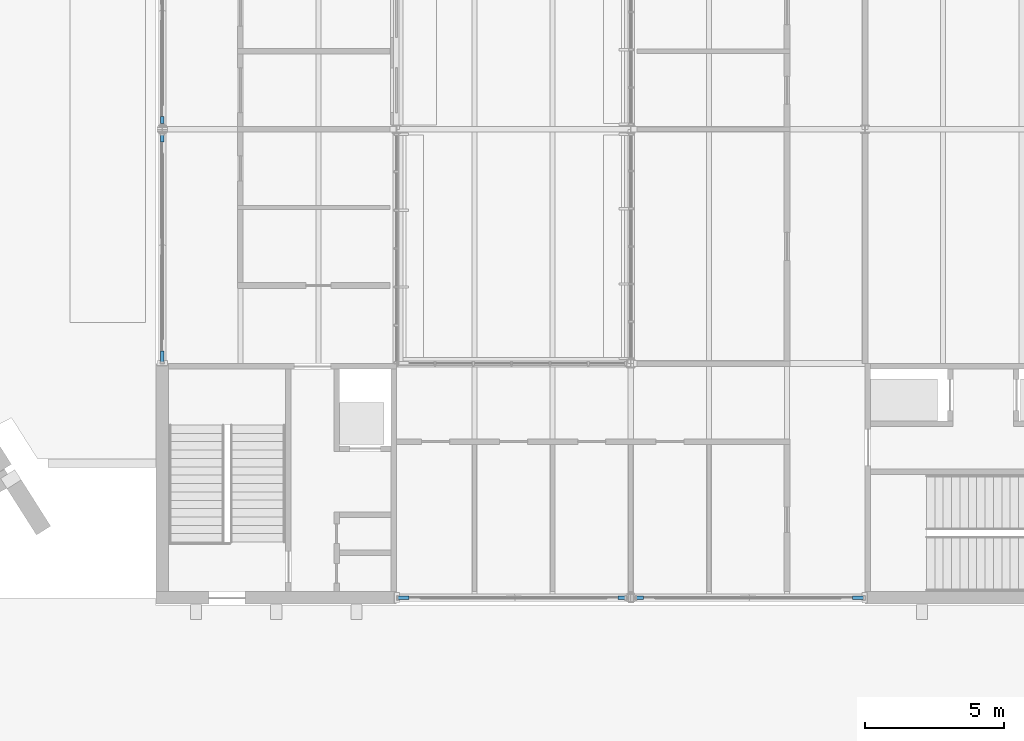
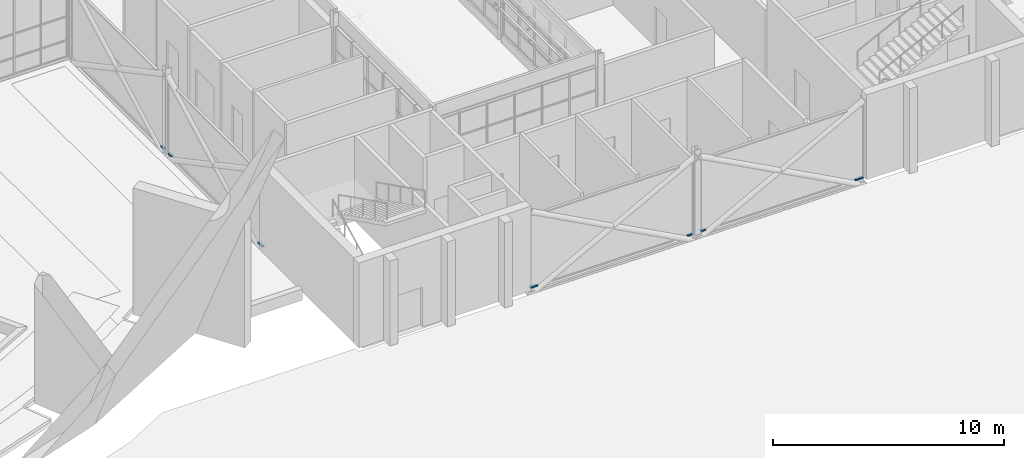
# One storey, part 68 of 116: 7 members, 4 elements without a shape of their own.
"""IFC4 building model written with IfcOpenShell, lengths in metres."""

from ifc_helpers import new_model, si_unit, direction, frame, origin, origin_2d, place, context, subcontext, project, spatial, rectangle, extrude, material, layer, layer_set, material_profile, profile_set, type_object, element, aggregate, save


model = new_model("IFC4")

# Units and contexts
model_context = context("Model", 3, precision=1e-05, world=origin(), true_north=direction((0.0, 1.0)))
body_context = subcontext(model_context, "Body", "Model", "MODEL_VIEW")
ifc_project = project(units=[si_unit("LENGTHUNIT", "METRE"), si_unit("AREAUNIT", "SQUARE_METRE"), si_unit("VOLUMEUNIT", "CUBIC_METRE"), si_unit("PLANEANGLEUNIT", "RADIAN"), si_unit("MASSUNIT", "GRAM", prefix="KILO")], contexts=[model_context])

# Site, building, storey
site_placement = place(None, origin())
site = spatial("IfcSite", under=ifc_project, at=site_placement, CompositionType="ELEMENT")
building_placement = place(site_placement, origin())
building = spatial("IfcBuilding", under=site, at=building_placement, Name="Ardhachandra Cancer Care Centre", CompositionType="ELEMENT")
storey_placement = place(building_placement, origin())
storey = spatial("IfcBuildingStorey", under=building, at=storey_placement, Name="L00", CompositionType="ELEMENT", Elevation=0.0)

# Curtain wall, members
ifc_material_1 = material(Name="Aluminium extrusion", Category="aluminium")
ifc_layer = layer(ifc_material_1, 0.14990234375)
ifc_layer_set = layer_set([ifc_layer], Name="Aluminium extrusion")
curtain_wall_type = type_object("IfcCurtainWallType", Name="Curtain wall run", PredefinedType="NOTDEFINED", material=ifc_layer_set)
curtain_wall_1_placement = place(storey_placement, origin())
curtain_wall_1 = element("IfcCurtainWall", 1, at=curtain_wall_1_placement, inside=storey, type_object=curtain_wall_type, Name="Curtain wall L00 s/0120000_0029400", PredefinedType="NOTDEFINED")
ifc_material_2 = material(Name="Aluminium extrusion", Category="aluminium")
ifc_material_profile = material_profile(ifc_material_2, rectangle(XDim=0.1201171875, YDim=0.06005859375, at=origin_2d()), Name="Curtain wall transom 60 x 120")
ifc_profile_set = profile_set([ifc_material_profile], Name="Aluminium extrusion")
member_type = type_object("IfcMemberType", Name="Curtain wall transom 60 x 120", PredefinedType="USERDEFINED", material=ifc_profile_set)
member_1_placement = place(storey_placement, frame((120.06005859375, 29.39990234375, 0.030029296875), z_axis=(1.0, 0.0, 0.0), x_axis=(0.0, 1.0, 0.0)))
member_1 = element("IfcMember", 2, at=member_1_placement, type_object=member_type, Name="CW transom 1.1", ObjectType="TRANSOM", PredefinedType="USERDEFINED", context=body_context, shape_type="SweptSolid", body=[
    extrude(rectangle(XDim=0.1201171875, YDim=0.06005859375, at=origin_2d()), origin(), (0.0, 0.0, 1.0), 0.39453125),
])
member_2_placement = place(storey_placement, frame((127.944580078125, 29.39990234375, 0.030029296875), z_axis=(1.0, 0.0, 0.0), x_axis=(0.0, 1.0, 0.0)))
member_2 = element("IfcMember", 3, at=member_2_placement, type_object=member_type, Name="CW transom 1.1", ObjectType="TRANSOM", PredefinedType="USERDEFINED", context=body_context, shape_type="SweptSolid", body=[
    extrude(rectangle(XDim=0.1201171875, YDim=0.06005859375, at=origin_2d()), origin(), (0.0, 0.0, 1.0), 0.245361328125),
])
aggregate(curtain_wall_1, [member_1, member_2])

curtain_wall_2_placement = place(storey_placement, origin())
curtain_wall_2 = element("IfcCurtainWall", 4, at=curtain_wall_2_placement, inside=storey, type_object=curtain_wall_type, Name="Curtain wall L00 s/0128400_0029400", PredefinedType="NOTDEFINED")
member_3_placement = place(storey_placement, frame((128.610107421875, 29.39990234375, 0.030029296875), z_axis=(1.0, 0.0, 0.0), x_axis=(0.0, 1.0, 0.0)))
member_3 = element("IfcMember", 5, at=member_3_placement, type_object=member_type, Name="CW transom 1.1", ObjectType="TRANSOM", PredefinedType="USERDEFINED", context=body_context, shape_type="SweptSolid", body=[
    extrude(rectangle(XDim=0.1201171875, YDim=0.06005859375, at=origin_2d()), origin(), (0.0, 0.0, 1.0), 0.245361328125),
])
member_4_placement = place(storey_placement, frame((136.344482421875, 29.39990234375, 0.030029296875), z_axis=(1.0, 0.0, 0.0), x_axis=(0.0, 1.0, 0.0)))
member_4 = element("IfcMember", 6, at=member_4_placement, type_object=member_type, Name="CW transom 1.1", ObjectType="TRANSOM", PredefinedType="USERDEFINED", context=body_context, shape_type="SweptSolid", body=[
    extrude(rectangle(XDim=0.1201171875, YDim=0.06005859375, at=origin_2d()), origin(), (0.0, 0.0, 1.0), 0.3955078125),
])
aggregate(curtain_wall_2, [member_3, member_4])

curtain_wall_3_placement = place(storey_placement, origin())
curtain_wall_3 = element("IfcCurtainWall", 7, at=curtain_wall_3_placement, inside=storey, type_object=curtain_wall_type, Name="Curtain wall L00 w/0111600_0037800", PredefinedType="NOTDEFINED")
member_5_placement = place(storey_placement, frame((111.60009765625, 37.860107421875, 0.030029296875), z_axis=(0.0, 1.0, 0.0), x_axis=(-1.0, 0.0, 0.0)))
member_5 = element("IfcMember", 8, at=member_5_placement, type_object=member_type, Name="CW transom 1.1", ObjectType="TRANSOM", PredefinedType="USERDEFINED", context=body_context, shape_type="SweptSolid", body=[
    extrude(rectangle(XDim=0.1201171875, YDim=0.06005859375, at=origin_2d()), origin(), (0.0, 0.0, 1.0), 0.394287109375),
])
member_6_placement = place(storey_placement, frame((111.60009765625, 45.74462890625, 0.030029296875), z_axis=(0.0, 1.0, 0.0), x_axis=(-1.0, 0.0, 0.0)))
member_6 = element("IfcMember", 9, at=member_6_placement, type_object=member_type, Name="CW transom 1.1", ObjectType="TRANSOM", PredefinedType="USERDEFINED", context=body_context, shape_type="SweptSolid", body=[
    extrude(rectangle(XDim=0.1201171875, YDim=0.06005859375, at=origin_2d()), origin(), (0.0, 0.0, 1.0), 0.25048828125),
])
aggregate(curtain_wall_3, [member_5, member_6])

# Curtain wall, member
curtain_wall_4_placement = place(storey_placement, origin())
curtain_wall_4 = element("IfcCurtainWall", 10, at=curtain_wall_4_placement, inside=storey, type_object=curtain_wall_type, Name="Curtain wall L00 w/0111600_0046200", PredefinedType="NOTDEFINED")
member_7_placement = place(storey_placement, frame((111.60009765625, 46.405029296875, 0.030029296875), z_axis=(0.0, 1.0, 0.0), x_axis=(-1.0, 0.0, 0.0)))
member_7 = element("IfcMember", 11, at=member_7_placement, type_object=member_type, Name="CW transom 1.1", ObjectType="TRANSOM", PredefinedType="USERDEFINED", context=body_context, shape_type="SweptSolid", body=[
    extrude(rectangle(XDim=0.1201171875, YDim=0.06005859375, at=origin_2d()), origin(), (0.0, 0.0, 1.0), 0.25048828125),
])
aggregate(curtain_wall_4, [member_7])

save(model, "model.ifc")
